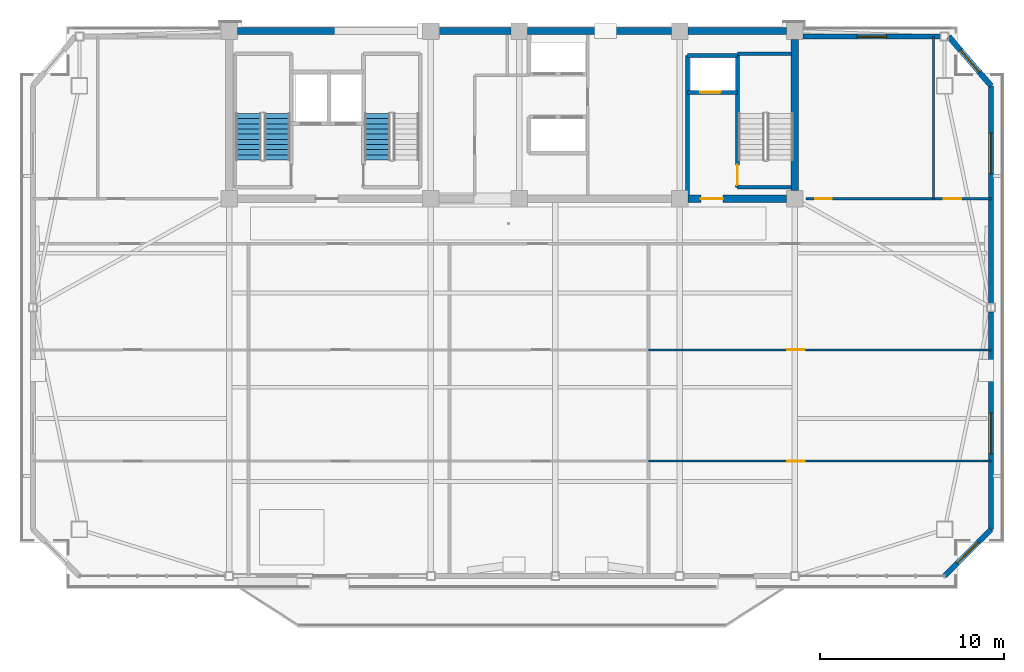
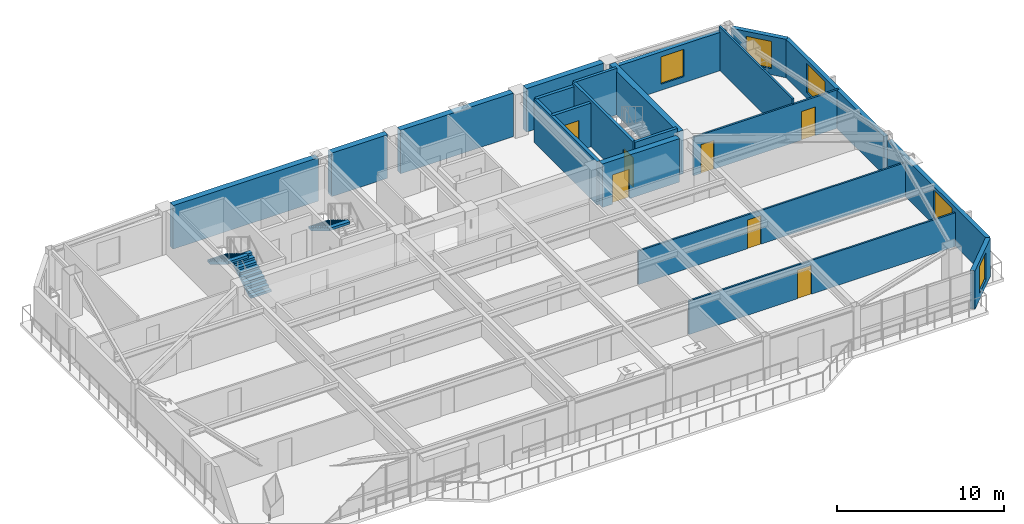
# One storey, part 10 of 16: 21 walls, 7 doors, 5 windows, 3 stair flights, 12 openings, 2 elements without a shape of their own.
"""IFC4 building model written with IfcOpenShell, lengths in metres."""

from ifc_helpers import new_model, si_unit, direction, frame, frame_2d, origin, place, context, subcontext, project, spatial, polyline, rectangle, outline, extrude, source, transform, mapped, material, layer, layer_set, type_object, element, fill, aggregate, save


model = new_model("IFC4")

# Units and contexts
model_context = context("Model", 3, precision=1e-05, world=origin(), true_north=direction((0.0, 1.0)))
body_context = subcontext(model_context, "Body", "Model", "MODEL_VIEW")
ifc_project = project(units=[si_unit("LENGTHUNIT", "METRE"), si_unit("AREAUNIT", "SQUARE_METRE"), si_unit("VOLUMEUNIT", "CUBIC_METRE"), si_unit("PLANEANGLEUNIT", "RADIAN"), si_unit("MASSUNIT", "GRAM", prefix="KILO")], contexts=[model_context])

# Site, building, storey
site_placement = place(None, origin())
site = spatial("IfcSite", under=ifc_project, at=site_placement, CompositionType="ELEMENT")
building_placement = place(site_placement, origin())
building = spatial("IfcBuilding", under=site, at=building_placement, Name="Giltprow Tower", CompositionType="ELEMENT")
storey_placement = place(building_placement, frame((0.0, 0.0, 272.300048828125)))
storey = spatial("IfcBuildingStorey", under=building, at=storey_placement, Name="L70", CompositionType="ELEMENT", Elevation=272.300048828125)

# Wall, opening, window
ifc_material_1 = material(Name="Precast concrete C40", Category="concrete")
ifc_layer_1 = layer(ifc_material_1, 0.300048828125, Name="Precast concrete C40")
ifc_layer_set_1 = layer_set([ifc_layer_1], Name="Precast concrete C40")
wall_type_1 = type_object("IfcWallType", Name="EW-NOTCH-CHAMFER-300", PredefinedType="SOLIDWALL", material=ifc_layer_set_1)
wall_1_placement = place(storey_placement, frame((58.68408203125, 16.97607421875, 0.0), z_axis=(0.0, 0.0, 1.0), x_axis=(0.707106781187, 0.707106781187, 0.0)))
wall_1 = element("IfcWall", 1, at=wall_1_placement, inside=storey, type_object=wall_type_1, Name="L70 Corner Notch Wall SE", PredefinedType="SOLIDWALL", context=body_context, shape_type="SweptSolid", body=[
    extrude(rectangle(XDim=3.56787109375, YDim=0.300048828125, at=frame_2d((1.783935546875, 0.0))), origin(), (0.0, 0.0, 1.0), 2.81494140625),
])
opening_1_placement = place(wall_1_placement, frame((0.98388671875, 0.0, 0.449951171875)))
opening_1 = element("IfcOpeningElement", 2, at=opening_1_placement, cuts=wall_1, Name="Opening WN17", PredefinedType="OPENING", context=body_context, shape_type="SweptSolid", body=[
    extrude(rectangle(XDim=1.60009765625, YDim=2.0, at=frame_2d((0.800048828125, 1.0))), frame((0.0, 0.159912109375, 0.0), z_axis=(0.0, -1.0, 0.0), x_axis=(1.0, 0.0, 0.0)), (0.0, 0.0, 1.0), 0.320068359375),
])
ifc_material_2 = material(Name="Insulated glass", Category="glass")
window_type_1 = type_object("IfcWindowType", Name="WN-COR-1600x2000", PartitioningType="SINGLE_PANEL", PredefinedType="WINDOW", material=ifc_material_2)
shared_shape_1 = source(origin(), body_context, "Body", "SweptSolid", [
    extrude(rectangle(XDim=1.60009765625, YDim=2.0, at=frame_2d((0.800048828125, 1.0))), frame((0.0, 0.030029296875, 0.0), z_axis=(0.0, -1.0, 0.0), x_axis=(1.0, 0.0, 0.0)), (0.0, 0.0, 1.0), 0.06005859375),
])
window_1_placement = place(opening_1_placement, origin())
window_1 = element("IfcWindow", 3, at=window_1_placement, inside=storey, type_object=window_type_1, Name="L70 Corner Notch Window SE", OverallHeight=2.0, OverallWidth=1.60009765625, PartitioningType="SINGLE_PANEL", PredefinedType="WINDOW", context=body_context, shape_type="MappedRepresentation", body=[
    mapped(shared_shape_1, transform((0.0, 0.0, 0.0), x_axis=(1.0, 0.0, 0.0), y_axis=(0.0, 1.0, 0.0), z_axis=(0.0, 0.0, 1.0), scale=1.0)),
])
fill(opening_1, window_1)

wall_2_placement = place(storey_placement, frame((61.20703125, 43.576904296875, 0.0), z_axis=(0.0, 0.0, 1.0), x_axis=(-0.651914250567, 0.758292694089, 0.0)))
wall_2 = element("IfcWall", 4, at=wall_2_placement, inside=storey, type_object=wall_type_1, Name="L70 Corner Notch Wall NE", PredefinedType="SOLIDWALL", context=body_context, shape_type="SweptSolid", body=[
    extrude(rectangle(XDim=3.525146484375, YDim=0.300048828125, at=frame_2d((1.7626953125, 0.0))), origin(), (0.0, 0.0, 1.0), 2.81494140625),
])
opening_2_placement = place(wall_2_placement, frame((0.962890625, 0.0, 0.449951171875)))
opening_2 = element("IfcOpeningElement", 5, at=opening_2_placement, cuts=wall_2, Name="Opening WN17", PredefinedType="OPENING", context=body_context, shape_type="SweptSolid", body=[
    extrude(rectangle(XDim=1.60009765625, YDim=2.0, at=frame_2d((0.800048828125, 1.0))), frame((0.0, 0.159912109375, 0.0), z_axis=(0.0, -1.0, 0.0), x_axis=(1.0, 0.0, 0.0)), (0.0, 0.0, 1.0), 0.320068359375),
])
window_2_placement = place(opening_2_placement, origin())
window_2 = element("IfcWindow", 6, at=window_2_placement, inside=storey, type_object=window_type_1, Name="L70 Corner Notch Window NE", OverallHeight=2.0, OverallWidth=1.60009765625, PartitioningType="SINGLE_PANEL", PredefinedType="WINDOW", context=body_context, shape_type="MappedRepresentation", body=[
    mapped(shared_shape_1, transform((0.0, 0.0, 0.0), x_axis=(1.0, 0.0, 0.0), y_axis=(0.0, 1.0, 0.0), z_axis=(0.0, 0.0, 1.0), scale=1.0)),
])
fill(opening_2, window_2)

ifc_layer_2 = layer(ifc_material_1, 0.280029296875, Name="Precast concrete C40")
ifc_layer_set_2 = layer_set([ifc_layer_2], Name="Precast concrete C40")
wall_type_2 = type_object("IfcWallType", Name="EW-TOW-BRONZE-280", PredefinedType="SOLIDWALL", material=ifc_layer_set_2)
wall_3_placement = place(storey_placement, frame((61.20703125, 19.4990234375, 0.0), z_axis=(0.0, 0.0, 1.0), x_axis=(0.0, 1.0, 0.0)))
wall_3 = element("IfcWall", 7, at=wall_3_placement, inside=storey, type_object=wall_type_2, Name="L70 E Wing Masonry Wall 1", PredefinedType="SOLIDWALL", context=body_context, shape_type="SweptSolid", body=[
    extrude(rectangle(XDim=11.81396484375, YDim=0.280029296875, at=frame_2d((5.906982421875, 0.0))), origin(), (0.0, 0.0, 1.0), 2.81494140625),
])
opening_3_placement = place(wall_3_placement, frame((4.110107421875, 0.0, 0.449951171875)))
opening_3 = element("IfcOpeningElement", 8, at=opening_3_placement, cuts=wall_3, Name="Opening WN27", PredefinedType="OPENING", context=body_context, shape_type="SweptSolid", body=[
    extrude(rectangle(XDim=2.199951171875, YDim=2.10009765625, at=frame_2d((1.10009765625, 1.050048828125))), frame((0.0, 0.14990234375, 0.0), z_axis=(0.0, -1.0, 0.0), x_axis=(1.0, 0.0, 0.0)), (0.0, 0.0, 1.0), 0.300048828125),
])
window_type_2 = type_object("IfcWindowType", Name="WN-RES-2200x2100", PartitioningType="TRIPLE_PANEL_VERTICAL", PredefinedType="WINDOW", material=ifc_material_2)
shared_shape_2 = source(origin(), body_context, "Body", "SweptSolid", [
    extrude(rectangle(XDim=2.199951171875, YDim=2.10009765625, at=frame_2d((1.10009765625, 1.050048828125))), frame((0.0, 0.030029296875, 0.0), z_axis=(0.0, -1.0, 0.0), x_axis=(1.0, 0.0, 0.0)), (0.0, 0.0, 1.0), 0.06005859375),
])
window_3_placement = place(opening_3_placement, origin())
window_3 = element("IfcWindow", 9, at=window_3_placement, inside=storey, type_object=window_type_2, Name="L70 E Wing Window 1-1", OverallHeight=2.10009765625, OverallWidth=2.199951171875, PartitioningType="SINGLE_PANEL", PredefinedType="WINDOW", context=body_context, shape_type="MappedRepresentation", body=[
    mapped(shared_shape_2, transform((0.0, 0.0, 0.0), x_axis=(1.0, 0.0, 0.0), y_axis=(0.0, 1.0, 0.0), z_axis=(0.0, 0.0, 1.0), scale=1.0)),
])
fill(opening_3, window_3)

wall_4_placement = place(storey_placement, frame((61.20703125, 31.762939453125, 0.0), z_axis=(0.0, 0.0, 1.0), x_axis=(0.0, 1.0, 0.0)))
wall_4 = element("IfcWall", 10, at=wall_4_placement, inside=storey, type_object=wall_type_2, Name="L70 E Wing Masonry Wall 2", PredefinedType="SOLIDWALL", context=body_context, shape_type="SweptSolid", body=[
    extrude(rectangle(XDim=11.81396484375, YDim=0.280029296875, at=frame_2d((5.906982421875, 0.0))), origin(), (0.0, 0.0, 1.0), 2.81494140625),
])
opening_4_placement = place(wall_4_placement, frame((7.049072265625, 0.0, 0.449951171875)))
opening_4 = element("IfcOpeningElement", 11, at=opening_4_placement, cuts=wall_4, Name="Opening WN27", PredefinedType="OPENING", context=body_context, shape_type="SweptSolid", body=[
    extrude(rectangle(XDim=2.199951171875, YDim=2.10009765625, at=frame_2d((1.10009765625, 1.050048828125))), frame((0.0, 0.14990234375, 0.0), z_axis=(0.0, -1.0, 0.0), x_axis=(1.0, 0.0, 0.0)), (0.0, 0.0, 1.0), 0.300048828125),
])
window_4_placement = place(opening_4_placement, origin())
window_4 = element("IfcWindow", 12, at=window_4_placement, inside=storey, type_object=window_type_2, Name="L70 E Wing Window 2-1", OverallHeight=2.10009765625, OverallWidth=2.199951171875, PartitioningType="SINGLE_PANEL", PredefinedType="WINDOW", context=body_context, shape_type="MappedRepresentation", body=[
    mapped(shared_shape_2, transform((0.0, 0.0, 0.0), x_axis=(1.0, 0.0, 0.0), y_axis=(0.0, 1.0, 0.0), z_axis=(0.0, 0.0, 1.0), scale=1.0)),
])
fill(opening_4, window_4)

wall_5_placement = place(storey_placement, frame((51.0, 46.25, 0.0), z_axis=(0.0, 0.0, 1.0), x_axis=(1.0, 0.0, 0.0)))
wall_5 = element("IfcWall", 13, at=wall_5_placement, inside=storey, type_object=wall_type_2, Name="L70 North-East Wing Wall", PredefinedType="SOLIDWALL", context=body_context, shape_type="SweptSolid", body=[
    extrude(rectangle(XDim=7.458984375, YDim=0.280029296875, at=frame_2d((3.7294921875, 0.0))), origin(), (0.0, 0.0, 1.0), 2.81494140625),
])
opening_5_placement = place(wall_5_placement, frame((2.929931640625, 0.0, 0.449951171875)))
opening_5 = element("IfcOpeningElement", 14, at=opening_5_placement, cuts=wall_5, Name="Opening WN17", PredefinedType="OPENING", context=body_context, shape_type="SweptSolid", body=[
    extrude(rectangle(XDim=1.60009765625, YDim=2.0, at=frame_2d((0.800048828125, 1.0))), frame((0.0, 0.14990234375, 0.0), z_axis=(0.0, -1.0, 0.0), x_axis=(1.0, 0.0, 0.0)), (0.0, 0.0, 1.0), 0.300048828125),
])
window_5_placement = place(opening_5_placement, origin())
window_5 = element("IfcWindow", 15, at=window_5_placement, inside=storey, type_object=window_type_1, Name="L70 North-East Window", OverallHeight=2.0, OverallWidth=1.60009765625, PartitioningType="SINGLE_PANEL", PredefinedType="WINDOW", context=body_context, shape_type="MappedRepresentation", body=[
    mapped(shared_shape_1, transform((0.0, 0.0, 0.0), x_axis=(1.0, 0.0, 0.0), y_axis=(0.0, 1.0, 0.0), z_axis=(0.0, 0.0, 1.0), scale=1.0)),
])
fill(opening_5, window_5)

# Wall, opening, door
ifc_material_3 = material(Name="Gypsum stud partition", Category="gypsum")
ifc_layer_3 = layer(ifc_material_3, 0.1201171875, Name="Gypsum stud partition")
ifc_layer_set_3 = layer_set([ifc_layer_3], Name="Gypsum stud partition")
wall_type_3 = type_object("IfcWallType", Name="IW-ROOM-120", PredefinedType="PARTITIONING", material=ifc_layer_set_3)
wall_6_placement = place(storey_placement, frame((42.60009765625, 23.208984375, 0.0), z_axis=(0.0, 0.0, 1.0), x_axis=(1.0, 0.0, 0.0)))
wall_6 = element("IfcWall", 16, at=wall_6_placement, inside=storey, type_object=wall_type_3, Name="L70 Special Split 1", PredefinedType="PARTITIONING", context=body_context, shape_type="SweptSolid", body=[
    extrude(rectangle(XDim=18.60693359375, YDim=0.1201171875, at=frame_2d((9.303466796875, 0.0))), origin(), (0.0, 0.0, 1.0), 2.469970703125),
])
opening_6_placement = place(wall_6_placement, frame((7.529052734375, 0.0, 0.0)))
opening_6 = element("IfcOpeningElement", 17, at=opening_6_placement, cuts=wall_6, Name="Opening ID11", PredefinedType="OPENING", context=body_context, shape_type="SweptSolid", body=[
    extrude(rectangle(XDim=0.949951171875, YDim=2.10009765625, at=frame_2d((0.47509765625, 1.050048828125))), frame((0.0, 0.070068359375, 0.0), z_axis=(0.0, -1.0, 0.0), x_axis=(1.0, 0.0, 0.0)), (0.0, 0.0, 1.0), 0.14013671875),
])
ifc_material_4 = material(Name="Engineered timber", Category="wood")
door_type_1 = type_object("IfcDoorType", Name="DR-ROOM-950", OperationType="SINGLE_SWING_RIGHT", PredefinedType="DOOR", material=ifc_material_4)
shared_shape_3 = source(origin(), body_context, "Body", "SweptSolid", [
    extrude(rectangle(XDim=0.949951171875, YDim=2.10009765625, at=frame_2d((0.47509765625, 1.050048828125))), frame((0.0, 0.02490234375, 0.0), z_axis=(0.0, -1.0, 0.0), x_axis=(1.0, 0.0, 0.0)), (0.0, 0.0, 1.0), 0.050048828125),
])
door_1_placement = place(opening_6_placement, origin())
door_1 = element("IfcDoor", 18, at=door_1_placement, inside=storey, type_object=door_type_1, Name="L70 Valet Trunk Store 2 South Door", OperationType="SINGLE_SWING_LEFT", OverallHeight=2.10009765625, OverallWidth=0.949951171875, PredefinedType="DOOR", context=body_context, shape_type="MappedRepresentation", body=[
    mapped(shared_shape_3, transform((0.0, 0.0, 0.0), x_axis=(1.0, 0.0, 0.0), y_axis=(0.0, 1.0, 0.0), z_axis=(0.0, 0.0, 1.0), scale=1.0)),
])
fill(opening_6, door_1)

wall_7_placement = place(storey_placement, frame((42.60009765625, 29.241943359375, 0.0), z_axis=(0.0, 0.0, 1.0), x_axis=(1.0, 0.0, 0.0)))
wall_7 = element("IfcWall", 19, at=wall_7_placement, inside=storey, type_object=wall_type_3, Name="L70 Special Split 2", PredefinedType="PARTITIONING", context=body_context, shape_type="SweptSolid", body=[
    extrude(rectangle(XDim=18.60693359375, YDim=0.1201171875, at=frame_2d((9.303466796875, 0.0))), origin(), (0.0, 0.0, 1.0), 2.469970703125),
])
opening_7_placement = place(wall_7_placement, frame((7.529052734375, 0.0, 0.0)))
opening_7 = element("IfcOpeningElement", 20, at=opening_7_placement, cuts=wall_7, Name="Opening ID11", PredefinedType="OPENING", context=body_context, shape_type="SweptSolid", body=[
    extrude(rectangle(XDim=0.949951171875, YDim=2.10009765625, at=frame_2d((0.47509765625, 1.050048828125))), frame((0.0, 0.070068359375, 0.0), z_axis=(0.0, -1.0, 0.0), x_axis=(1.0, 0.0, 0.0)), (0.0, 0.0, 1.0), 0.14013671875),
])
door_2_placement = place(opening_7_placement, origin())
door_2 = element("IfcDoor", 21, at=door_2_placement, inside=storey, type_object=door_type_1, Name="L70 Valet Trunk Store 2 Mid Door", OperationType="SINGLE_SWING_RIGHT", OverallHeight=2.10009765625, OverallWidth=0.949951171875, PredefinedType="DOOR", context=body_context, shape_type="MappedRepresentation", body=[
    mapped(shared_shape_3, transform((0.0, 0.0, 0.0), x_axis=(1.0, 0.0, 0.0), y_axis=(0.0, 1.0, 0.0), z_axis=(0.0, 0.0, 1.0), scale=1.0)),
])
fill(opening_7, door_2)

ifc_material_5 = material(Name="Concrete C40", Category="concrete")
ifc_layer_4 = layer(ifc_material_5, 0.219970703125, Name="Concrete C40")
ifc_layer_set_4 = layer_set([ifc_layer_4], Name="Concrete C40")
wall_type_4 = type_object("IfcWallType", Name="IW-SHAFT-220", PredefinedType="SOLIDWALL", material=ifc_layer_set_4)
wall_8_placement = place(storey_placement, frame((44.719970703125, 43.219970703125, 0.0), z_axis=(0.0, 0.0, 1.0), x_axis=(1.0, 0.0, 0.0)))
wall_8 = element("IfcWall", 22, at=wall_8_placement, inside=storey, type_object=wall_type_4, Name="L70 FFL2 Front Shaft Wall", PredefinedType="SOLIDWALL", context=body_context, shape_type="SweptSolid", body=[
    extrude(rectangle(XDim=2.719970703125, YDim=0.219970703125, at=frame_2d((1.35986328125, 0.0))), origin(), (0.0, 0.0, 1.0), 3.18505859375),
])
opening_8_placement = place(wall_8_placement, frame((0.699951171875, 0.0, 0.0)))
opening_8 = element("IfcOpeningElement", 23, at=opening_8_placement, cuts=wall_8, Name="Opening LD-11", PredefinedType="OPENING", context=body_context, shape_type="SweptSolid", body=[
    extrude(rectangle(XDim=1.10009765625, YDim=2.199951171875, at=frame_2d((0.550048828125, 1.10009765625))), frame((0.0, 0.119873046875, 0.0), z_axis=(0.0, -1.0, 0.0), x_axis=(1.0, 0.0, 0.0)), (0.0, 0.0, 1.0), 0.239990234375),
])
ifc_material_6 = material(Name="Stainless steel", Category="steel")
door_type_2 = type_object("IfcDoorType", Name="DR-LIFT-LD1100", OperationType="SLIDING_TO_LEFT", PredefinedType="DOOR", material=ifc_material_6)
shared_shape_4 = source(origin(), body_context, "Body", "SweptSolid", [
    extrude(rectangle(XDim=1.10009765625, YDim=2.199951171875, at=frame_2d((0.550048828125, 1.10009765625))), frame((0.0, 0.02490234375, 0.0), z_axis=(0.0, -1.0, 0.0), x_axis=(1.0, 0.0, 0.0)), (0.0, 0.0, 1.0), 0.050048828125),
])
door_3_placement = place(opening_8_placement, origin())
door_3 = element("IfcDoor", 24, at=door_3_placement, inside=storey, type_object=door_type_2, Name="L70 FFL2 Landing Door", OperationType="SLIDING_TO_LEFT", OverallHeight=2.199951171875, OverallWidth=1.10009765625, PredefinedType="DOOR", context=body_context, shape_type="MappedRepresentation", body=[
    mapped(shared_shape_4, transform((0.0, 0.0, 0.0), x_axis=(1.0, 0.0, 0.0), y_axis=(0.0, 1.0, 0.0), z_axis=(0.0, 0.0, 1.0), scale=1.0)),
])
fill(opening_8, door_3)

# Walls
wall_9_placement = place(storey_placement, frame((44.719970703125, 45.219970703125, 0.0), z_axis=(0.0, 0.0, 1.0), x_axis=(1.0, 0.0, 0.0)))
element("IfcWall", 25, at=wall_9_placement, inside=storey, type_object=wall_type_4, Name="L70 FFL2 Back Shaft Wall", PredefinedType="SOLIDWALL", context=body_context, shape_type="SweptSolid", body=[
    extrude(rectangle(XDim=2.719970703125, YDim=0.219970703125, at=frame_2d((1.35986328125, 0.0))), origin(), (0.0, 0.0, 1.0), 3.18505859375),
])
wall_10_placement = place(storey_placement, frame((44.719970703125, 37.6298828125, 0.0), z_axis=(0.0, 0.0, 1.0), x_axis=(0.0, 1.0, 0.0)))
element("IfcWall", 26, at=wall_10_placement, inside=storey, type_object=wall_type_4, Name="L70 East Firefighting Lobby West Wall", PredefinedType="SOLIDWALL", context=body_context, shape_type="SweptSolid", body=[
    extrude(rectangle(XDim=7.590087890625, YDim=0.219970703125, at=frame_2d((3.794921875, 0.0))), origin(), (0.0, 0.0, 1.0), 3.18505859375),
])

# Wall, opening, door
ifc_layer_5 = layer(ifc_material_5, 0.199951171875, Name="Concrete C40")
ifc_layer_set_5 = layer_set([ifc_layer_5], Name="Concrete C40")
wall_type_5 = type_object("IfcWallType", Name="IW-STAIR-200", PredefinedType="SOLIDWALL", material=ifc_layer_set_5)
wall_11_placement = place(storey_placement, frame((47.43994140625, 38.070068359375, 0.0), z_axis=(0.0, 0.0, 1.0), x_axis=(0.0, 1.0, 0.0)))
wall_11 = element("IfcWall", 27, at=wall_11_placement, inside=storey, type_object=wall_type_5, Name="L70 Stair ST-3 West Bearing Wall", PredefinedType="SOLIDWALL", context=body_context, shape_type="SweptSolid", body=[
    extrude(rectangle(XDim=7.25, YDim=0.199951171875, at=frame_2d((3.625, 0.0))), origin(), (0.0, 0.0, 1.0), 3.39990234375),
])
opening_9_placement = place(wall_11_placement, frame((0.110107421875, 0.0, 0.0)))
opening_9 = element("IfcOpeningElement", 28, at=opening_9_placement, cuts=wall_11, Name="Opening ID33", PredefinedType="OPENING", context=body_context, shape_type="SweptSolid", body=[
    extrude(rectangle(XDim=1.10009765625, YDim=2.14990234375, at=frame_2d((0.550048828125, 1.074951171875))), frame((0.0, 0.10986328125, 0.0), z_axis=(0.0, -1.0, 0.0), x_axis=(1.0, 0.0, 0.0)), (0.0, 0.0, 1.0), 0.219970703125),
])
ifc_material_7 = material(Name="Steel fire leaf", Category="steel")
door_type_3 = type_object("IfcDoorType", Name="DR-STAIR-1100", OperationType="SINGLE_SWING_LEFT", PredefinedType="DOOR", material=ifc_material_7)
shared_shape_5 = source(origin(), body_context, "Body", "SweptSolid", [
    extrude(rectangle(XDim=1.10009765625, YDim=2.14990234375, at=frame_2d((0.550048828125, 1.074951171875))), frame((0.0, 0.02490234375, 0.0), z_axis=(0.0, -1.0, 0.0), x_axis=(1.0, 0.0, 0.0)), (0.0, 0.0, 1.0), 0.050048828125),
])
door_4_placement = place(opening_9_placement, origin())
door_4 = element("IfcDoor", 29, at=door_4_placement, inside=storey, type_object=door_type_3, Name="L70 Stair ST-3 Fire Door", OperationType="SINGLE_SWING_LEFT", OverallHeight=2.14990234375, OverallWidth=1.10009765625, PredefinedType="DOOR", context=body_context, shape_type="MappedRepresentation", body=[
    mapped(shared_shape_5, transform((0.0, 0.0, 0.0), x_axis=(1.0, 0.0, 0.0), y_axis=(0.0, 1.0, 0.0), z_axis=(0.0, 0.0, 1.0), scale=1.0)),
])
fill(opening_9, door_4)

# Walls
for number, where, z_axis, x_axis, name in (
    (30, (47.43994140625, 45.320068359375, 0.0), (0.0, 0.0, 1.0), (1.0, 0.0, 0.0), "L70 Stair ST-3 North Bearing Wall"),
    (31, (47.43994140625, 38.070068359375, 0.0), (0.0, 0.0, 1.0), (1.0, 0.0, 0.0), "L70 Stair ST-3 South Bearing Wall"),
):
    element("IfcWall", number, at=place(storey_placement, frame(where, z_axis=z_axis, x_axis=x_axis)), inside=storey, type_object=wall_type_5, Name=name, PredefinedType="SOLIDWALL", context=body_context, shape_type="SweptSolid", body=[
        extrude(rectangle(XDim=2.93017578125, YDim=0.199951171875, at=frame_2d((1.465087890625, 0.0))), origin(), (0.0, 0.0, 1.0), 3.39990234375),
    ])

# Wall, openings, doors
ifc_material_8 = material(Name="Concrete C30", Category="concrete")
ifc_layer_6 = layer(ifc_material_8, 0.1298828125, Name="Concrete C30")
ifc_layer_set_6 = layer_set([ifc_layer_6], Name="Concrete C30")
wall_type_6 = type_object("IfcWallType", Name="IW-WET-130", PredefinedType="PARTITIONING", material=ifc_layer_set_6)
wall_12_placement = place(storey_placement, frame((51.14990234375, 37.449951171875, 0.0), z_axis=(0.0, 0.0, 1.0), x_axis=(1.0, 0.0, 0.0)))
wall_12 = element("IfcWall", 32, at=wall_12_placement, inside=storey, type_object=wall_type_6, Name="L70 NE Wing South Wall", PredefinedType="PARTITIONING", context=body_context, shape_type="SweptSolid", body=[
    extrude(rectangle(XDim=10.05712890625, YDim=0.1298828125, at=frame_2d((5.028564453125, 0.0))), origin(), (0.0, 0.0, 1.0), 2.820068359375),
])
opening_10_placement = place(wall_12_placement, frame((0.5, 0.0, 0.0)))
opening_10 = element("IfcOpeningElement", 33, at=opening_10_placement, cuts=wall_12, Name="Opening ID15", PredefinedType="OPENING", context=body_context, shape_type="SweptSolid", body=[
    extrude(rectangle(XDim=0.89990234375, YDim=2.10009765625, at=frame_2d((0.449951171875, 1.050048828125))), frame((0.0, 0.074951171875, 0.0), z_axis=(0.0, -1.0, 0.0), x_axis=(1.0, 0.0, 0.0)), (0.0, 0.0, 1.0), 0.14990234375),
])
opening_11_placement = place(wall_12_placement, frame((7.47998046875, 0.0, 0.0)))
opening_11 = element("IfcOpeningElement", 34, at=opening_11_placement, cuts=wall_12, Name="Opening ID11", PredefinedType="OPENING", context=body_context, shape_type="SweptSolid", body=[
    extrude(rectangle(XDim=0.949951171875, YDim=2.10009765625, at=frame_2d((0.47509765625, 1.050048828125))), frame((0.0, 0.074951171875, 0.0), z_axis=(0.0, -1.0, 0.0), x_axis=(1.0, 0.0, 0.0)), (0.0, 0.0, 1.0), 0.14990234375),
])
door_type_4 = type_object("IfcDoorType", Name="DR-WC-900", OperationType="SINGLE_SWING_LEFT", PredefinedType="DOOR", material=ifc_material_4)
shared_shape_6 = source(origin(), body_context, "Body", "SweptSolid", [
    extrude(rectangle(XDim=0.89990234375, YDim=2.10009765625, at=frame_2d((0.449951171875, 1.050048828125))), frame((0.0, 0.02490234375, 0.0), z_axis=(0.0, -1.0, 0.0), x_axis=(1.0, 0.0, 0.0)), (0.0, 0.0, 1.0), 0.050048828125),
])
door_5_placement = place(opening_10_placement, origin())
door_5 = element("IfcDoor", 35, at=door_5_placement, inside=storey, type_object=door_type_4, Name="L70 East Wing Washroom Door", OperationType="SINGLE_SWING_RIGHT", OverallHeight=2.10009765625, OverallWidth=0.89990234375, PredefinedType="DOOR", context=body_context, shape_type="MappedRepresentation", body=[
    mapped(shared_shape_6, transform((0.0, 0.0, 0.0), x_axis=(1.0, 0.0, 0.0), y_axis=(0.0, 1.0, 0.0), z_axis=(0.0, 0.0, 1.0), scale=1.0)),
])
fill(opening_10, door_5)
door_6_placement = place(opening_11_placement, origin())
door_6 = element("IfcDoor", 36, at=door_6_placement, inside=storey, type_object=door_type_1, Name="L70 Residents Reading Lounge Door", OperationType="SINGLE_SWING_LEFT", OverallHeight=2.10009765625, OverallWidth=0.949951171875, PredefinedType="DOOR", context=body_context, shape_type="MappedRepresentation", body=[
    mapped(shared_shape_3, transform((0.0, 0.0, 0.0), x_axis=(1.0, 0.0, 0.0), y_axis=(0.0, 1.0, 0.0), z_axis=(0.0, 0.0, 1.0), scale=1.0)),
])
fill(opening_11, door_6)

# Walls
wall_13_placement = place(storey_placement, frame((58.080078125, 37.449951171875, 0.0), z_axis=(0.0, 0.0, 1.0), x_axis=(0.0, 1.0, 0.0)))
element("IfcWall", 37, at=wall_13_placement, inside=storey, type_object=wall_type_6, Name="L70 NE Wing Divider", PredefinedType="PARTITIONING", context=body_context, shape_type="SweptSolid", body=[
    extrude(rectangle(XDim=8.800048828125, YDim=0.1298828125, at=frame_2d((4.39990234375, 0.0))), origin(), (0.0, 0.0, 1.0), 3.18505859375),
])
ifc_material_9 = material(Name="Concrete C45", Category="concrete")
ifc_layer_7 = layer(ifc_material_9, 0.39990234375, Name="Concrete C45")
ifc_layer_set_7 = layer_set([ifc_layer_7], Name="Concrete C45")
wall_type_7 = type_object("IfcWallType", Name="SW-EXT-400-C45", PredefinedType="SHEAR", material=ifc_layer_set_7)
wall_14_placement = place(storey_placement, frame((20.300048828125, 46.550048828125, 0.0), z_axis=(0.0, 0.0, 1.0), x_axis=(1.0, 0.0, 0.0)))
element("IfcWall", 38, at=wall_14_placement, inside=storey, type_object=wall_type_7, Name="L70 North Rear Core Shear Wall 1", PredefinedType="SHEAR", context=body_context, shape_type="SweptSolid", body=[
    extrude(rectangle(XDim=10.050048828125, YDim=0.39990234375, at=frame_2d((5.02490234375, 0.0))), origin(), (0.0, 0.0, 1.0), 3.18505859375),
])
wall_15_placement = place(storey_placement, frame((31.25, 46.550048828125, 0.0), z_axis=(0.0, 0.0, 1.0), x_axis=(1.0, 0.0, 0.0)))
element("IfcWall", 39, at=wall_15_placement, inside=storey, type_object=wall_type_7, Name="L70 North Rear Core Shear Wall 2", PredefinedType="SHEAR", context=body_context, shape_type="SweptSolid", body=[
    extrude(rectangle(XDim=3.89990234375, YDim=0.39990234375, at=frame_2d((1.949951171875, 0.0))), origin(), (0.0, 0.0, 1.0), 3.18505859375),
])
wall_16_placement = place(storey_placement, frame((36.050048828125, 46.550048828125, 0.0), z_axis=(0.0, 0.0, 1.0), x_axis=(1.0, 0.0, 0.0)))
element("IfcWall", 40, at=wall_16_placement, inside=storey, type_object=wall_type_7, Name="L70 North Rear Core Shear Wall 3", PredefinedType="SHEAR", context=body_context, shape_type="SweptSolid", body=[
    extrude(rectangle(XDim=7.800048828125, YDim=0.39990234375, at=frame_2d((3.89990234375, 0.0))), origin(), (0.0, 0.0, 1.0), 3.18505859375),
])
wall_17_placement = place(storey_placement, frame((44.75, 46.550048828125, 0.0), z_axis=(0.0, 0.0, 1.0), x_axis=(1.0, 0.0, 0.0)))
element("IfcWall", 41, at=wall_17_placement, inside=storey, type_object=wall_type_7, Name="L70 North Rear Core Shear Wall 4", PredefinedType="SHEAR", context=body_context, shape_type="SweptSolid", body=[
    extrude(rectangle(XDim=5.35009765625, YDim=0.39990234375, at=frame_2d((2.675048828125, 0.0))), origin(), (0.0, 0.0, 1.0), 3.18505859375),
])

# Wall, opening, door
ifc_layer_8 = layer(ifc_material_9, 0.39990234375, Name="Concrete C45")
ifc_layer_set_8 = layer_set([ifc_layer_8], Name="Concrete C45")
wall_type_8 = type_object("IfcWallType", Name="SW-INT-400-C45", PredefinedType="SHEAR", material=ifc_layer_set_8)
wall_18_placement = place(storey_placement, frame((44.75, 37.449951171875, 0.0), z_axis=(0.0, 0.0, 1.0), x_axis=(1.0, 0.0, 0.0)))
wall_18 = element("IfcWall", 42, at=wall_18_placement, inside=storey, type_object=wall_type_8, Name="L70 South Rear Core Shear Wall East", PredefinedType="SHEAR", context=body_context, shape_type="SweptSolid", body=[
    extrude(rectangle(XDim=5.35009765625, YDim=0.39990234375, at=frame_2d((2.675048828125, 0.0))), origin(), (0.0, 0.0, 1.0), 3.18505859375),
])
opening_12_placement = place(wall_18_placement, frame((0.699951171875, 0.0, 0.0)))
opening_12 = element("IfcOpeningElement", 43, at=opening_12_placement, cuts=wall_18, Name="Opening ID19", PredefinedType="OPENING", context=body_context, shape_type="SweptSolid", body=[
    extrude(rectangle(XDim=1.199951171875, YDim=2.14990234375, at=frame_2d((0.60009765625, 1.074951171875))), frame((0.0, 0.2099609375, 0.0), z_axis=(0.0, -1.0, 0.0), x_axis=(1.0, 0.0, 0.0)), (0.0, 0.0, 1.0), 0.419921875),
])
door_type_5 = type_object("IfcDoorType", Name="DR-FFLOBBY-1200", OperationType="SINGLE_SWING_RIGHT", PredefinedType="DOOR", material=ifc_material_7)
shared_shape_7 = source(origin(), body_context, "Body", "SweptSolid", [
    extrude(rectangle(XDim=1.199951171875, YDim=2.14990234375, at=frame_2d((0.60009765625, 1.074951171875))), frame((0.0, 0.02490234375, 0.0), z_axis=(0.0, -1.0, 0.0), x_axis=(1.0, 0.0, 0.0)), (0.0, 0.0, 1.0), 0.050048828125),
])
door_7_placement = place(opening_12_placement, origin())
door_7 = element("IfcDoor", 44, at=door_7_placement, inside=storey, type_object=door_type_5, Name="L70 East Firefighting Lobby Entry Door", OperationType="SINGLE_SWING_RIGHT", OverallHeight=2.14990234375, OverallWidth=1.199951171875, PredefinedType="DOOR", context=body_context, shape_type="MappedRepresentation", body=[
    mapped(shared_shape_7, transform((0.0, 0.0, 0.0), x_axis=(1.0, 0.0, 0.0), y_axis=(0.0, 1.0, 0.0), z_axis=(0.0, 0.0, 1.0), scale=1.0)),
])
fill(opening_12, door_7)

# Wall
wall_19_placement = place(storey_placement, frame((50.550048828125, 37.89990234375, 0.0), z_axis=(0.0, 0.0, 1.0), x_axis=(0.0, 1.0, 0.0)))
element("IfcWall", 45, at=wall_19_placement, inside=storey, type_object=wall_type_8, Name="L70 E Rear Core Shear Wall", PredefinedType="SHEAR", context=body_context, shape_type="SweptSolid", body=[
    extrude(rectangle(XDim=8.2001953125, YDim=0.39990234375, at=frame_2d((4.10009765625, 0.0))), origin(), (0.0, 0.0, 1.0), 3.18505859375),
])

# Stair, stair flights
stair_type_1 = type_object("IfcStairType", Name="STR-ST-1", PredefinedType="HALF_TURN_STAIR", material=ifc_material_5)
stair_1_placement = place(storey_placement, origin())
stair_1 = element("IfcStair", 46, at=stair_1_placement, inside=storey, type_object=stair_type_1, Name="L70 Core Exit Stair ST-1", PredefinedType="HALF_TURN_STAIR")
stair_flight_type_1 = type_object("IfcStairFlightType", Name="SFL-ST-1", PredefinedType="STRAIGHT", material=ifc_material_5)
stair_flight_1_placement = place(storey_placement, frame((22.4599609375, 39.550048828125, 0.0), z_axis=(0.0, 0.0, 1.0), x_axis=(0.0, 1.0, 0.0)))
stair_flight_1 = element("IfcStairFlight", 47, at=stair_flight_1_placement, type_object=stair_flight_type_1, Name="ST-1 flight 1", NumberOfRisers=10, NumberOfTreads=9, PredefinedType="STRAIGHT", RiserHeight=0.17, TreadLength=0.28, context=body_context, shape_type="SweptSolid", body=[
    extrude(outline(polyline([(0.0, 0.0), (0.0, 0.169921875), (0.280029296875, 0.169921875), (0.280029296875, 0.340087890625), (0.56005859375, 0.340087890625), (0.56005859375, 0.510009765625), (0.840087890625, 0.510009765625), (0.840087890625, 0.679931640625), (1.1201171875, 0.679931640625), (1.1201171875, 0.85009765625), (1.39990234375, 0.85009765625), (1.39990234375, 1.02001953125), (1.679931640625, 1.02001953125), (1.679931640625, 1.18994140625), (1.9599609375, 1.18994140625), (1.9599609375, 1.360107421875), (2.239990234375, 1.360107421875), (2.239990234375, 1.530029296875), (2.52001953125, 1.530029296875), (2.52001953125, 1.699951171875), (2.52001953125, 1.354736328125), (0.288818359375, 0.0), (0.0, 0.0)])), frame((0.0, 0.699951171875, 0.0), z_axis=(0.0, -1.0, 0.0), x_axis=(1.0, 0.0, 0.0)), (0.0, 0.0, 1.0), 1.39990234375),
])
stair_flight_2_placement = place(storey_placement, frame((20.89990234375, 42.070068359375, 1.699951171875), z_axis=(0.0, 0.0, 1.0), x_axis=(0.0, -1.0, 0.0)))
stair_flight_2 = element("IfcStairFlight", 48, at=stair_flight_2_placement, type_object=stair_flight_type_1, Name="ST-1 flight 2", NumberOfRisers=10, NumberOfTreads=9, PredefinedType="STRAIGHT", RiserHeight=0.17, TreadLength=0.28, context=body_context, shape_type="SweptSolid", body=[
    extrude(outline(polyline([(0.0, 0.0), (0.0, 0.169921875), (0.280029296875, 0.169921875), (0.280029296875, 0.340087890625), (0.56005859375, 0.340087890625), (0.56005859375, 0.510009765625), (0.840087890625, 0.510009765625), (0.840087890625, 0.679931640625), (1.1201171875, 0.679931640625), (1.1201171875, 0.85009765625), (1.39990234375, 0.85009765625), (1.39990234375, 1.02001953125), (1.679931640625, 1.02001953125), (1.679931640625, 1.18994140625), (1.9599609375, 1.18994140625), (1.9599609375, 1.360107421875), (2.239990234375, 1.360107421875), (2.239990234375, 1.530029296875), (2.52001953125, 1.530029296875), (2.52001953125, 1.699951171875), (2.52001953125, 1.354736328125), (0.288818359375, 0.0), (0.0, 0.0)])), frame((0.0, 0.699951171875, 0.0), z_axis=(0.0, -1.0, 0.0), x_axis=(1.0, 0.0, 0.0)), (0.0, 0.0, 1.0), 1.39990234375),
])
aggregate(stair_1, [stair_flight_1, stair_flight_2])

# Stair, stair flight
stair_type_2 = type_object("IfcStairType", Name="STR-ST-2", PredefinedType="HALF_TURN_STAIR", material=ifc_material_5)
stair_2_placement = place(storey_placement, origin())
stair_2 = element("IfcStair", 49, at=stair_2_placement, inside=storey, type_object=stair_type_2, Name="L70 Core Exit Stair ST-2", PredefinedType="HALF_TURN_STAIR")
stair_flight_type_2 = type_object("IfcStairFlightType", Name="SFL-ST-2", PredefinedType="STRAIGHT", material=ifc_material_5)
stair_flight_3_placement = place(storey_placement, frame((27.89990234375, 42.070068359375, 1.699951171875), z_axis=(0.0, 0.0, 1.0), x_axis=(0.0, -1.0, 0.0)))
stair_flight_3 = element("IfcStairFlight", 50, at=stair_flight_3_placement, type_object=stair_flight_type_2, Name="ST-2 flight 2", NumberOfRisers=10, NumberOfTreads=9, PredefinedType="STRAIGHT", RiserHeight=0.17, TreadLength=0.28, context=body_context, shape_type="SweptSolid", body=[
    extrude(outline(polyline([(0.0, 0.0), (0.0, 0.169921875), (0.280029296875, 0.169921875), (0.280029296875, 0.340087890625), (0.56005859375, 0.340087890625), (0.56005859375, 0.510009765625), (0.840087890625, 0.510009765625), (0.840087890625, 0.679931640625), (1.1201171875, 0.679931640625), (1.1201171875, 0.85009765625), (1.39990234375, 0.85009765625), (1.39990234375, 1.02001953125), (1.679931640625, 1.02001953125), (1.679931640625, 1.18994140625), (1.9599609375, 1.18994140625), (1.9599609375, 1.360107421875), (2.239990234375, 1.360107421875), (2.239990234375, 1.530029296875), (2.52001953125, 1.530029296875), (2.52001953125, 1.699951171875), (2.52001953125, 1.354736328125), (0.288818359375, 0.0), (0.0, 0.0)])), frame((0.0, 0.699951171875, 0.0), z_axis=(0.0, -1.0, 0.0), x_axis=(1.0, 0.0, 0.0)), (0.0, 0.0, 1.0), 1.39990234375),
])
aggregate(stair_2, [stair_flight_3])

save(model, "model.ifc")
